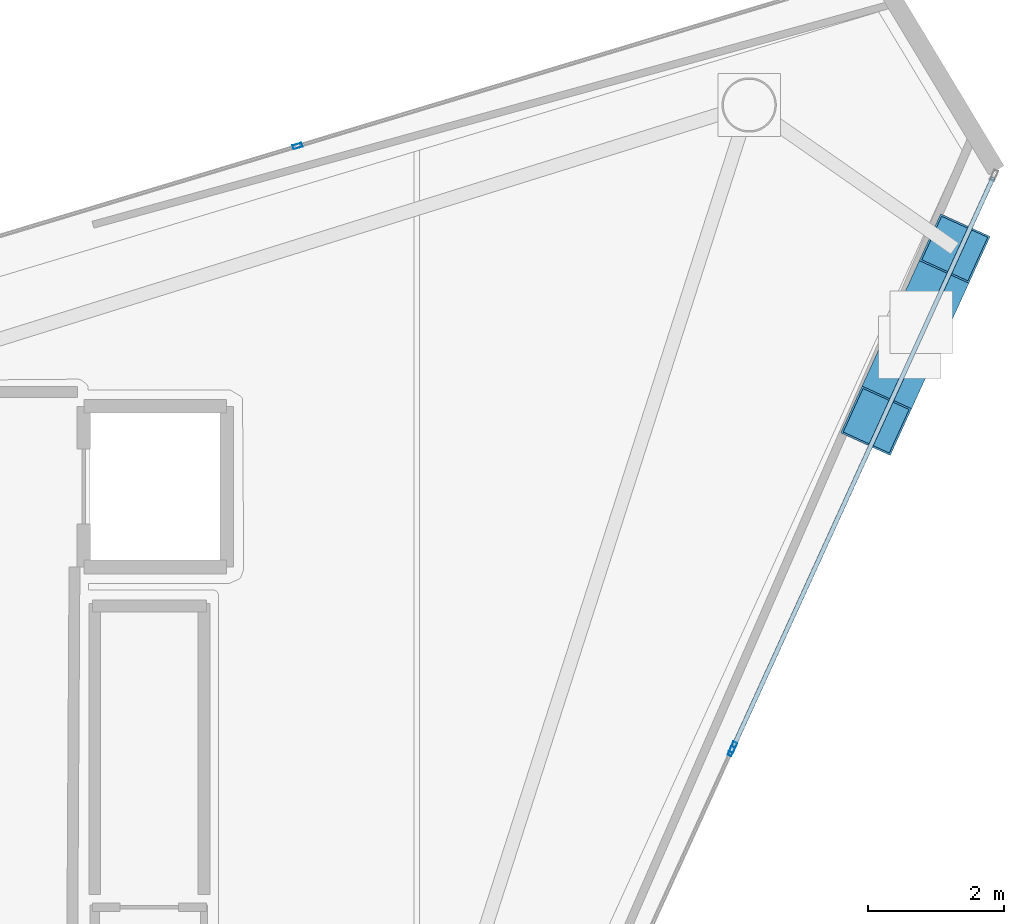
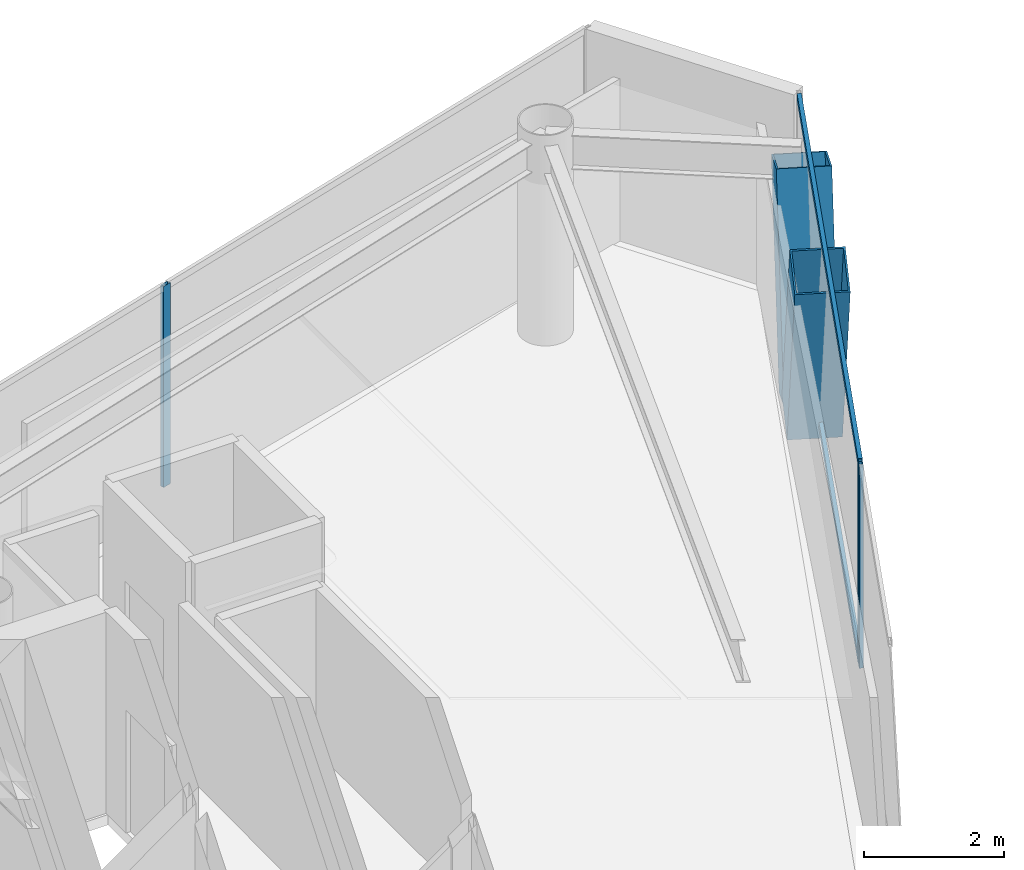
# One storey, part 13 of 19: 7 members, 3 elements without a shape of their own.
"""IFC4 building model written with IfcOpenShell, lengths in metres."""

from ifc_helpers import new_model, si_unit, direction, frame, origin, origin_2d, place, context, subcontext, project, spatial, hollow_rectangle, extrude, material, layer, layer_set, material_profile, profile_set, type_object, element, aggregate, save


model = new_model("IFC4")

# Units and contexts
model_context = context("Model", 3, precision=1e-05, world=origin(), true_north=direction((0.0, 1.0)))
body_context = subcontext(model_context, "Body", "Model", "MODEL_VIEW")
ifc_project = project(units=[si_unit("LENGTHUNIT", "METRE"), si_unit("AREAUNIT", "SQUARE_METRE"), si_unit("VOLUMEUNIT", "CUBIC_METRE"), si_unit("PLANEANGLEUNIT", "RADIAN"), si_unit("MASSUNIT", "GRAM", prefix="KILO")], contexts=[model_context])

# Site, building, storey
site_placement = place(None, origin())
site = spatial("IfcSite", under=ifc_project, at=site_placement, CompositionType="ELEMENT")
building_placement = place(site_placement, origin())
building = spatial("IfcBuilding", under=site, at=building_placement, Name="Qianvela Tower", CompositionType="ELEMENT")
storey_placement = place(building_placement, frame((0.0, 0.0, 325.89990234375)))
storey = spatial("IfcBuildingStorey", under=building, at=storey_placement, Name="L84", CompositionType="ELEMENT", Elevation=325.89990234375)

# Curtain wall, members
ifc_material_1 = material(Name="Anodised Architectural Aluminium and Insulated Spandrel Panel", Category="aluminium")
ifc_layer_1 = layer(ifc_material_1, 0.179931640625)
ifc_layer_set_1 = layer_set([ifc_layer_1], Name="Anodised Architectural Aluminium and Insulated Spandrel Panel")
curtain_wall_type_1 = type_object("IfcCurtainWallType", Name="CW-BRACEBAY", PredefinedType="USERDEFINED", material=ifc_layer_set_1)
curtain_wall_1_placement = place(storey_placement, origin())
curtain_wall_1 = element("IfcCurtainWall", 1, at=curtain_wall_1_placement, inside=storey, type_object=curtain_wall_type_1, Name="L84 CW-BRACEBAY Curtain Wall 06B", ObjectType="CURTAIN_WALL_SYSTEM", PredefinedType="USERDEFINED")
ifc_material_2 = material(Name="Anodised Architectural Aluminium 6063-T6", Category="aluminium")
ifc_material_profile_1 = material_profile(ifc_material_2, hollow_rectangle(XDim=0.06494140625, YDim=0.159912109375, WallThickness=0.0048828125, at=origin_2d()), Name="ALU-MULL-65x160")
ifc_profile_set_1 = profile_set([ifc_material_profile_1], Name="Anodised Architectural Aluminium 6063-T6")
member_type_1 = type_object("IfcMemberType", Name="CW-BRACEBAY-MULL", PredefinedType="MULLION", material=ifc_profile_set_1)
member_1_placement = place(storey_placement, frame((50.9921875, 30.269775390625, 0.0), z_axis=(0.0, 0.0, 1.0), x_axis=(-0.909767980335, 0.415117118362, 0.0)))
member_1 = element("IfcMember", 2, at=member_1_placement, type_object=member_type_1, Name="CW-9 mullion 1", PredefinedType="MULLION", context=body_context, shape_type="SweptSolid", body=[
    extrude(hollow_rectangle(XDim=0.06494140625, YDim=0.159912109375, WallThickness=0.0048828125, at=origin_2d()), origin(), (0.0, 0.0, 1.0), 3.52001953125),
])
ifc_material_3 = material(Name="Anodised Architectural Aluminium 6063-T6", Category="aluminium")
ifc_material_profile_2 = material_profile(ifc_material_3, hollow_rectangle(XDim=0.06494140625, YDim=0.1298828125, WallThickness=0.00439453125, at=origin_2d()), Name="ALU-TRAN-65x130")
ifc_profile_set_2 = profile_set([ifc_material_profile_2], Name="Anodised Architectural Aluminium 6063-T6")
member_type_2 = type_object("IfcMemberType", Name="CW-BRACEBAY-TRAN", PredefinedType="USERDEFINED", material=ifc_profile_set_2)
member_2_placement = place(storey_placement, frame((51.005615234375, 30.29931640625, 0.03271484375), z_axis=(0.415116120197, 0.909768435786, 0.0), x_axis=(-0.909768435786, 0.415116120197, 0.0)))
member_2 = element("IfcMember", 3, at=member_2_placement, type_object=member_type_2, Name="CW-9 transom 1.1", ObjectType="TRANSOM", PredefinedType="USERDEFINED", context=body_context, shape_type="SweptSolid", body=[
    extrude(hollow_rectangle(XDim=0.06494140625, YDim=0.1298828125, WallThickness=0.00439453125, at=origin_2d()), origin(), (0.0, 0.0, 1.0), 9.171875),
])
member_3_placement = place(storey_placement, frame((51.005615234375, 30.29931640625, 3.487548828125), z_axis=(0.415116120197, 0.909768435786, 0.0), x_axis=(-0.909768435786, 0.415116120197, 0.0)))
member_3 = element("IfcMember", 4, at=member_3_placement, type_object=member_type_2, Name="CW-9 transom 1.2", ObjectType="TRANSOM", PredefinedType="USERDEFINED", context=body_context, shape_type="SweptSolid", body=[
    extrude(hollow_rectangle(XDim=0.06494140625, YDim=0.1298828125, WallThickness=0.00439453125, at=origin_2d()), origin(), (0.0, 0.0, 1.0), 9.171875),
])
aggregate(curtain_wall_1, [member_1, member_2, member_3])

# Curtain wall, member
ifc_material_4 = material(Name="Anodised Architectural Aluminium and Low-E Glass", Category="aluminium")
ifc_layer_2 = layer(ifc_material_4, 0.14990234375)
ifc_layer_set_2 = layer_set([ifc_layer_2], Name="Anodised Architectural Aluminium and Low-E Glass")
curtain_wall_type_2 = type_object("IfcCurtainWallType", Name="CW-COLIV-Z78", PredefinedType="USERDEFINED", material=ifc_layer_set_2)
curtain_wall_2_placement = place(storey_placement, origin())
curtain_wall_2 = element("IfcCurtainWall", 5, at=curtain_wall_2_placement, inside=storey, type_object=curtain_wall_type_2, Name="L84 CW-COLIV-Z78 Curtain Wall 02A", ObjectType="CURTAIN_WALL_SYSTEM", PredefinedType="USERDEFINED")
ifc_material_5 = material(Name="Anodised Architectural Aluminium 6063-T6", Category="aluminium")
ifc_material_profile_3 = material_profile(ifc_material_5, hollow_rectangle(XDim=0.06005859375, YDim=0.139892578125, WallThickness=0.00439453125, at=origin_2d()), Name="ALU-MULL-60x140")
ifc_profile_set_3 = profile_set([ifc_material_profile_3], Name="Anodised Architectural Aluminium 6063-T6")
member_type_3 = type_object("IfcMemberType", Name="CW-COLIV-Z78-MULL", PredefinedType="MULLION", material=ifc_profile_set_3)
member_4_placement = place(storey_placement, frame((44.59033203125, 39.104736328125, 0.0), z_axis=(0.0, 0.0, 1.0), x_axis=(0.288480373472, -0.957485808835, 0.0)))
member_4 = element("IfcMember", 6, at=member_4_placement, type_object=member_type_3, Name="CW-6 mullion 2", PredefinedType="MULLION", context=body_context, shape_type="SweptSolid", body=[
    extrude(hollow_rectangle(XDim=0.06005859375, YDim=0.139892578125, WallThickness=0.00439453125, at=origin_2d()), origin(), (0.0, 0.0, 1.0), 3.52001953125),
])
aggregate(curtain_wall_2, [member_4])

curtain_wall_3_placement = place(storey_placement, origin())
curtain_wall_3 = element("IfcCurtainWall", 7, at=curtain_wall_3_placement, inside=storey, type_object=curtain_wall_type_2, Name="L84 CW-COLIV-Z78 Curtain Wall 06A", ObjectType="CURTAIN_WALL_SYSTEM", PredefinedType="USERDEFINED")
member_5_placement = place(storey_placement, frame((50.966064453125, 30.212890625, 0.0), z_axis=(0.0, 0.0, 1.0), x_axis=(-0.909766445507, 0.415120482066, 0.0)))
member_5 = element("IfcMember", 8, at=member_5_placement, type_object=member_type_3, Name="CW-6 mullion 4", PredefinedType="MULLION", context=body_context, shape_type="SweptSolid", body=[
    extrude(hollow_rectangle(XDim=0.06005859375, YDim=0.139892578125, WallThickness=0.00439453125, at=origin_2d()), origin(), (0.0, 0.0, 1.0), 3.52001953125),
])
aggregate(curtain_wall_3, [member_5])

# Members
ifc_material_6 = material(Name="Steel Q420GJC", Category="steel")
ifc_material_profile_4 = material_profile(ifc_material_6, hollow_rectangle(XDim=0.800048828125, YDim=0.800048828125, WallThickness=0.028076171875, at=origin_2d()), Name="MBOX-800x800x28")
ifc_profile_set_4 = profile_set([ifc_material_profile_4], Name="Steel Q420GJC")
member_type_4 = type_object("IfcMemberType", Name="MBR-MBRACE-800", PredefinedType="BRACE", material=ifc_profile_set_4)
for number, where, z_axis, x_axis, name in (
    (9, (53.57958984375, 36.133056640625, -0.139892578125), (-0.136686886258, -0.299530328851, 0.944244818478), (0.909751355116, -0.415153552151, 0.0), "L84 Tier 14 Exterior Mega-Brace F3A"),
    (10, (53.76220703125, 36.533203125, -0.139892578125), (0.136684075266, 0.29959281992, 0.944225399903), (-0.909787282985, 0.415074812196, 0.0), "L84 Tier 14 Exterior Mega-Brace F3B"),
):
    element("IfcMember", number, at=place(storey_placement, frame(where, z_axis=z_axis, x_axis=x_axis)), inside=storey, type_object=member_type_4, Name=name, PredefinedType="BRACE", context=body_context, shape_type="SweptSolid", body=[
        extrude(hollow_rectangle(XDim=0.800048828125, YDim=0.800048828125, WallThickness=0.028076171875, at=origin_2d()), origin(), (0.0, 0.0, 1.0), 3.55615234375),
    ])

save(model, "model.ifc")
